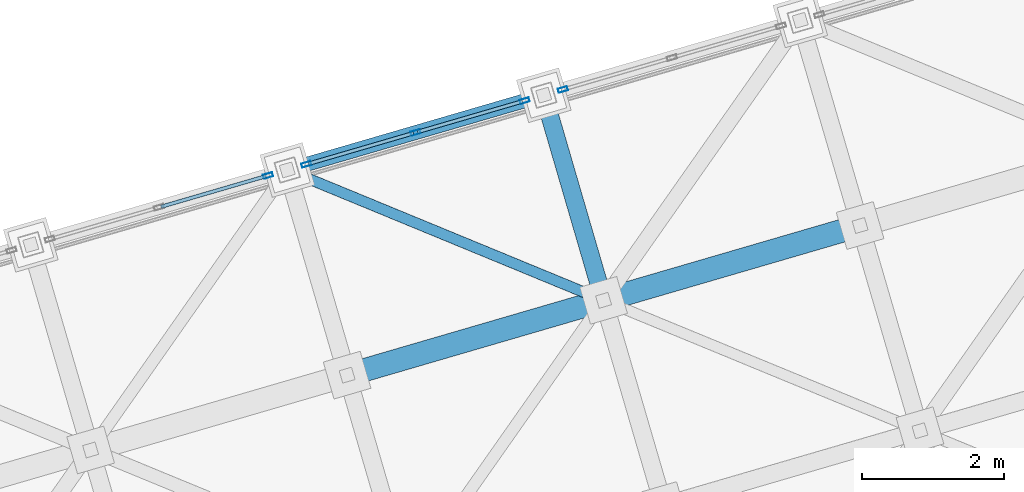
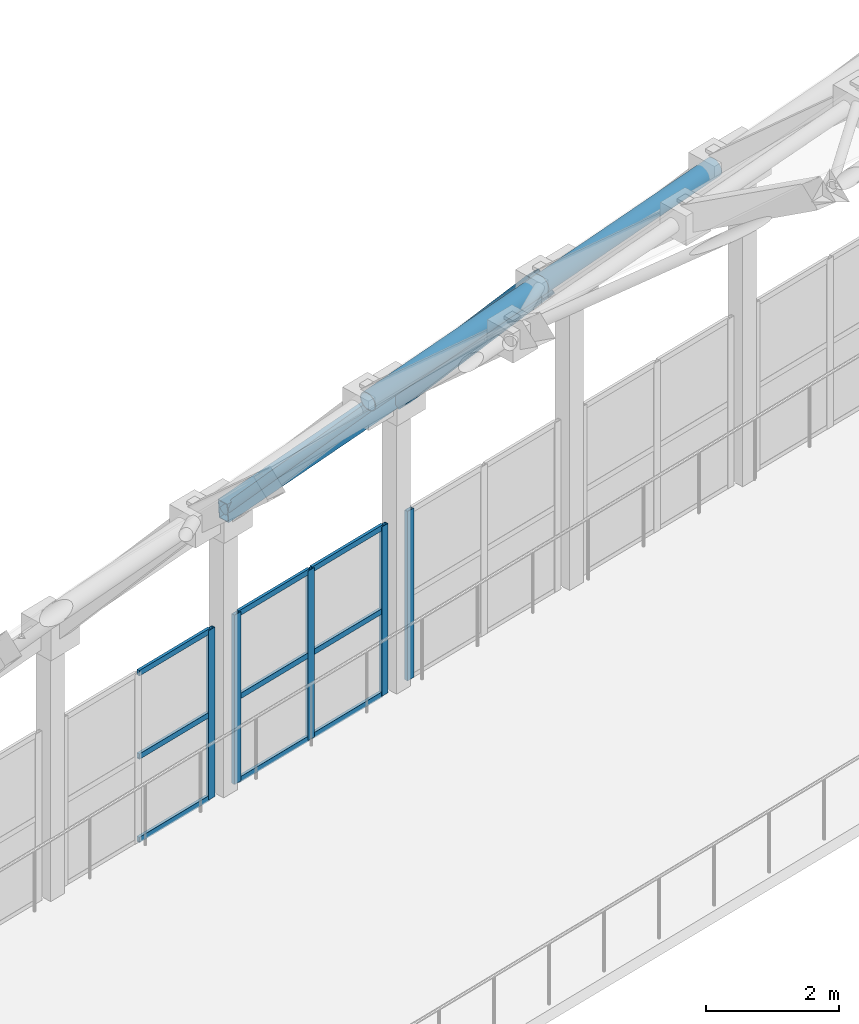
# One storey, part 113 of 248: 17 members, 2 beams, 3 elements without a shape of their own.
"""IFC4 building model written with IfcOpenShell, lengths in metres."""

from ifc_helpers import new_model, si_unit, direction, frame, origin, origin_2d, place, context, subcontext, project, spatial, hollow_rectangle, hollow_circle, extrude, material, layer, layer_set, material_profile, profile_set, type_object, element, aggregate, save


model = new_model("IFC4")

# Units and contexts
model_context = context("Model", 3, precision=1e-05, world=origin(), true_north=direction((0.0, 1.0)))
body_context = subcontext(model_context, "Body", "Model", "MODEL_VIEW")
ifc_project = project(units=[si_unit("LENGTHUNIT", "METRE"), si_unit("AREAUNIT", "SQUARE_METRE"), si_unit("VOLUMEUNIT", "CUBIC_METRE"), si_unit("PLANEANGLEUNIT", "RADIAN"), si_unit("MASSUNIT", "GRAM", prefix="KILO")], contexts=[model_context])

# Site, building, storey
site_placement = place(None, origin())
site = spatial("IfcSite", under=ifc_project, at=site_placement, CompositionType="ELEMENT")
building_placement = place(site_placement, origin())
building = spatial("IfcBuilding", under=site, at=building_placement, Name="Canggui Botanical Conservatory", CompositionType="ELEMENT")
storey_placement = place(building_placement, frame((0.0, 0.0, 5.39990234375)))
storey = spatial("IfcBuildingStorey", under=building, at=storey_placement, Name="L02", CompositionType="ELEMENT", Elevation=5.39990234375)

# Beams
ifc_material_1 = material(Name="Steel Q355C", Category="steel")
ifc_material_profile_1 = material_profile(ifc_material_1, hollow_rectangle(XDim=0.25, YDim=0.449951171875, WallThickness=0.013916015625, at=origin_2d()), Name="RHS 250x450x14")
ifc_profile_set_1 = profile_set([ifc_material_profile_1], Name="Steel Q355C")
beam_type_1 = type_object("IfcBeamType", Name="BM-GJ02", PredefinedType="BEAM", material=ifc_profile_set_1)
beam_1_placement = place(storey_placement, frame((37.639892578125, 75.27001953125, 8.80615234375), z_axis=(-0.183516511104, 0.629290920054, -0.755191782324), x_axis=(-0.960010937337, -0.279962497833, 0.0)))
element("IfcBeam", 1, at=beam_1_placement, inside=storey, type_object=beam_type_1, Name="Conservatory Stepped-Arch Rib GJ-08 Segment 10", PredefinedType="BEAM", context=body_context, shape_type="SweptSolid", body=[
    extrude(hollow_rectangle(XDim=0.25, YDim=0.449951171875, WallThickness=0.013916015625, at=origin_2d()), origin(), (0.0, 0.0, 1.0), 4.576416015625),
])
ifc_material_profile_2 = material_profile(ifc_material_1, hollow_rectangle(XDim=0.199951171875, YDim=0.35009765625, WallThickness=0.011962890625, at=origin_2d()), Name="RHS 200x350x12")
ifc_profile_set_2 = profile_set([ifc_material_profile_2], Name="Steel Q355C")
beam_type_2 = type_object("IfcBeamType", Name="BM-RING01", PredefinedType="BEAM", material=ifc_profile_set_2)
beam_2_placement = place(storey_placement, frame((33.199951171875, 77.10009765625, 5.10009765625), z_axis=(0.957889800097, 0.279324979006, 0.066518320582), x_axis=(-0.279945000113, 0.960016039924, 0.0)))
element("IfcBeam", 2, at=beam_2_placement, inside=storey, type_object=beam_type_2, Name="Conservatory Perimeter Ring Beam V1-07", PredefinedType="BEAM", context=body_context, shape_type="SweptSolid", body=[
    extrude(hollow_rectangle(XDim=0.199951171875, YDim=0.35009765625, WallThickness=0.011962890625, at=origin_2d()), origin(), (0.0, 0.0, 1.0), 3.75830078125),
])

# Curtain wall, member
ifc_material_2 = material(Name="Thermally Broken Aluminium", Category="aluminium")
ifc_layer = layer(ifc_material_2, 0.135009765625, Name="Thermally Broken Aluminium", Category="aluminium")
ifc_layer_set = layer_set([ifc_layer], Name="Thermally Broken Aluminium")
curtain_wall_type = type_object("IfcCurtainWallType", Name="CW-STICK-A", PredefinedType="USERDEFINED", material=ifc_layer_set)
curtain_wall_1_placement = place(storey_placement, origin())
curtain_wall_1 = element("IfcCurtainWall", 3, at=curtain_wall_1_placement, inside=storey, type_object=curtain_wall_type, Name="Facade Curtain Wall CW-CONS-L02-V1-06", ObjectType="STICK GLAZED WALL", PredefinedType="USERDEFINED")
ifc_material_profile_3 = material_profile(ifc_material_2, hollow_rectangle(XDim=0.06005859375, YDim=0.135009765625, WallThickness=0.00341796875, at=origin_2d()), Name="CWM 60x135x3.5")
ifc_profile_set_3 = profile_set([ifc_material_profile_3], Name="Thermally Broken Aluminium")
member_type_1 = type_object("IfcMemberType", Name="CWM-04", PredefinedType="MULLION", material=ifc_profile_set_3)
member_1_placement = place(storey_placement, frame((32.93115234375, 77.021484375, 0.0), z_axis=(0.0, 0.0, 1.0), x_axis=(-0.279999999995, 0.960000000002, 0.0)))
member_1 = element("IfcMember", 4, at=member_1_placement, type_object=member_type_1, Name="CW-04 mullion 3", PredefinedType="MULLION", context=body_context, shape_type="SweptSolid", body=[
    extrude(hollow_rectangle(XDim=0.06005859375, YDim=0.135009765625, WallThickness=0.00341796875, at=origin_2d()), origin(), (0.0, 0.0, 1.0), 3.10009765625),
])

# Curtain wall, members
curtain_wall_2_placement = place(storey_placement, origin())
curtain_wall_2 = element("IfcCurtainWall", 5, at=curtain_wall_2_placement, inside=storey, type_object=curtain_wall_type, Name="Facade Curtain Wall CW-CONS-L02-V1-07", ObjectType="STICK GLAZED WALL", PredefinedType="USERDEFINED")
member_2_placement = place(storey_placement, frame((33.46875, 77.178466796875, 0.0), z_axis=(0.0, 0.0, 1.0), x_axis=(-0.279999999995, 0.960000000002, 0.0)))
member_2 = element("IfcMember", 6, at=member_2_placement, type_object=member_type_1, Name="CW-04 mullion 1", PredefinedType="MULLION", context=body_context, shape_type="SweptSolid", body=[
    extrude(hollow_rectangle(XDim=0.06005859375, YDim=0.135009765625, WallThickness=0.00341796875, at=origin_2d()), origin(), (0.0, 0.0, 1.0), 3.10009765625),
])
member_3_placement = place(storey_placement, frame((35.0, 77.625, 0.0), z_axis=(0.0, 0.0, 1.0), x_axis=(-0.279999999995, 0.960000000002, 0.0)))
member_3 = element("IfcMember", 7, at=member_3_placement, type_object=member_type_1, Name="CW-04 mullion 2", PredefinedType="MULLION", context=body_context, shape_type="SweptSolid", body=[
    extrude(hollow_rectangle(XDim=0.06005859375, YDim=0.135009765625, WallThickness=0.00341796875, at=origin_2d()), origin(), (0.0, 0.0, 1.0), 3.10009765625),
])
member_4_placement = place(storey_placement, frame((36.53125, 78.071533203125, 0.0), z_axis=(0.0, 0.0, 1.0), x_axis=(-0.279999999995, 0.960000000002, 0.0)))
member_4 = element("IfcMember", 8, at=member_4_placement, type_object=member_type_1, Name="CW-04 mullion 3", PredefinedType="MULLION", context=body_context, shape_type="SweptSolid", body=[
    extrude(hollow_rectangle(XDim=0.06005859375, YDim=0.135009765625, WallThickness=0.00341796875, at=origin_2d()), origin(), (0.0, 0.0, 1.0), 3.10009765625),
])

# Curtain wall, member
curtain_wall_3_placement = place(storey_placement, origin())
curtain_wall_3 = element("IfcCurtainWall", 9, at=curtain_wall_3_placement, inside=storey, type_object=curtain_wall_type, Name="Facade Curtain Wall CW-CONS-L02-V1-08", ObjectType="STICK GLAZED WALL", PredefinedType="USERDEFINED")
member_5_placement = place(storey_placement, frame((37.06884765625, 78.228515625, 0.0), z_axis=(0.0, 0.0, 1.0), x_axis=(-0.279999999995, 0.960000000002, 0.0)))
member_5 = element("IfcMember", 10, at=member_5_placement, type_object=member_type_1, Name="CW-04 mullion 1", PredefinedType="MULLION", context=body_context, shape_type="SweptSolid", body=[
    extrude(hollow_rectangle(XDim=0.06005859375, YDim=0.135009765625, WallThickness=0.00341796875, at=origin_2d()), origin(), (0.0, 0.0, 1.0), 3.10009765625),
])
aggregate(curtain_wall_3, [member_5])

# Member
ifc_material_profile_4 = material_profile(ifc_material_2, hollow_rectangle(XDim=0.050048828125, YDim=0.10009765625, WallThickness=0.0029296875, at=origin_2d()), Name="CWT 50x100x3")
ifc_profile_set_4 = profile_set([ifc_material_profile_4], Name="Thermally Broken Aluminium")
member_type_2 = type_object("IfcMemberType", Name="CWT-04", PredefinedType="USERDEFINED", material=ifc_profile_set_4)
member_6_placement = place(storey_placement, frame((31.4287109375, 76.58349609375, 0.025146484375), z_axis=(0.960021373424, 0.279926709282, 0.0), x_axis=(-0.279926709282, 0.960021373424, 0.0)))
member_6 = element("IfcMember", 11, at=member_6_placement, type_object=member_type_2, Name="CW-04 transom 2.1", ObjectType="TRANSOM", PredefinedType="USERDEFINED", context=body_context, shape_type="SweptSolid", body=[
    extrude(hollow_rectangle(XDim=0.050048828125, YDim=0.10009765625, WallThickness=0.0029296875, at=origin_2d()), origin(), (0.0, 0.0, 1.0), 1.534912109375),
])

member_7_placement = place(storey_placement, frame((31.4287109375, 76.58349609375, 1.550048828125), z_axis=(0.960021373424, 0.279926709282, 0.0), x_axis=(-0.279926709282, 0.960021373424, 0.0)))
member_7 = element("IfcMember", 12, at=member_7_placement, type_object=member_type_2, Name="CW-04 transom 2.2", ObjectType="TRANSOM", PredefinedType="USERDEFINED", context=body_context, shape_type="SweptSolid", body=[
    extrude(hollow_rectangle(XDim=0.050048828125, YDim=0.10009765625, WallThickness=0.0029296875, at=origin_2d()), origin(), (0.0, 0.0, 1.0), 1.534912109375),
])

member_8_placement = place(storey_placement, frame((31.4287109375, 76.58349609375, 3.0751953125), z_axis=(0.960021373424, 0.279926709282, 0.0), x_axis=(-0.279926709282, 0.960021373424, 0.0)))
member_8 = element("IfcMember", 13, at=member_8_placement, type_object=member_type_2, Name="CW-04 transom 2.3", ObjectType="TRANSOM", PredefinedType="USERDEFINED", context=body_context, shape_type="SweptSolid", body=[
    extrude(hollow_rectangle(XDim=0.050048828125, YDim=0.10009765625, WallThickness=0.0029296875, at=origin_2d()), origin(), (0.0, 0.0, 1.0), 1.534912109375),
])

aggregate(curtain_wall_1, [member_1, member_6, member_7, member_8])

member_9_placement = place(storey_placement, frame((33.49755859375, 77.186767578125, 0.025146484375), z_axis=(0.959978621933, 0.280073285822, 0.0), x_axis=(-0.280073285822, 0.959978621933, 0.0)))
member_9 = element("IfcMember", 14, at=member_9_placement, type_object=member_type_2, Name="CW-04 transom 1.1", ObjectType="TRANSOM", PredefinedType="USERDEFINED", context=body_context, shape_type="SweptSolid", body=[
    extrude(hollow_rectangle(XDim=0.050048828125, YDim=0.10009765625, WallThickness=0.0029296875, at=origin_2d()), origin(), (0.0, 0.0, 1.0), 1.53515625),
])

member_10_placement = place(storey_placement, frame((33.49755859375, 77.186767578125, 1.550048828125), z_axis=(0.959978621933, 0.280073285822, 0.0), x_axis=(-0.280073285822, 0.959978621933, 0.0)))
member_10 = element("IfcMember", 15, at=member_10_placement, type_object=member_type_2, Name="CW-04 transom 1.2", ObjectType="TRANSOM", PredefinedType="USERDEFINED", context=body_context, shape_type="SweptSolid", body=[
    extrude(hollow_rectangle(XDim=0.050048828125, YDim=0.10009765625, WallThickness=0.0029296875, at=origin_2d()), origin(), (0.0, 0.0, 1.0), 1.53515625),
])

member_11_placement = place(storey_placement, frame((33.49755859375, 77.186767578125, 3.0751953125), z_axis=(0.959978621933, 0.280073285822, 0.0), x_axis=(-0.280073285822, 0.959978621933, 0.0)))
member_11 = element("IfcMember", 16, at=member_11_placement, type_object=member_type_2, Name="CW-04 transom 1.3", ObjectType="TRANSOM", PredefinedType="USERDEFINED", context=body_context, shape_type="SweptSolid", body=[
    extrude(hollow_rectangle(XDim=0.050048828125, YDim=0.10009765625, WallThickness=0.0029296875, at=origin_2d()), origin(), (0.0, 0.0, 1.0), 1.53515625),
])

member_12_placement = place(storey_placement, frame((35.02880859375, 77.63330078125, 0.025146484375), z_axis=(0.959978621933, 0.280073285822, 0.0), x_axis=(-0.280073285822, 0.959978621933, 0.0)))
member_12 = element("IfcMember", 17, at=member_12_placement, type_object=member_type_2, Name="CW-04 transom 2.1", ObjectType="TRANSOM", PredefinedType="USERDEFINED", context=body_context, shape_type="SweptSolid", body=[
    extrude(hollow_rectangle(XDim=0.050048828125, YDim=0.10009765625, WallThickness=0.0029296875, at=origin_2d()), origin(), (0.0, 0.0, 1.0), 1.53515625),
])

member_13_placement = place(storey_placement, frame((35.02880859375, 77.63330078125, 1.550048828125), z_axis=(0.959978621933, 0.280073285822, 0.0), x_axis=(-0.280073285822, 0.959978621933, 0.0)))
member_13 = element("IfcMember", 18, at=member_13_placement, type_object=member_type_2, Name="CW-04 transom 2.2", ObjectType="TRANSOM", PredefinedType="USERDEFINED", context=body_context, shape_type="SweptSolid", body=[
    extrude(hollow_rectangle(XDim=0.050048828125, YDim=0.10009765625, WallThickness=0.0029296875, at=origin_2d()), origin(), (0.0, 0.0, 1.0), 1.53515625),
])

member_14_placement = place(storey_placement, frame((35.02880859375, 77.63330078125, 3.0751953125), z_axis=(0.959978621933, 0.280073285822, 0.0), x_axis=(-0.280073285822, 0.959978621933, 0.0)))
member_14 = element("IfcMember", 19, at=member_14_placement, type_object=member_type_2, Name="CW-04 transom 2.3", ObjectType="TRANSOM", PredefinedType="USERDEFINED", context=body_context, shape_type="SweptSolid", body=[
    extrude(hollow_rectangle(XDim=0.050048828125, YDim=0.10009765625, WallThickness=0.0029296875, at=origin_2d()), origin(), (0.0, 0.0, 1.0), 1.53515625),
])

aggregate(curtain_wall_2, [member_2, member_3, member_4, member_9, member_10, member_11, member_12, member_13, member_14])

# Members
ifc_material_profile_5 = material_profile(ifc_material_1, hollow_circle(Radius=0.16259765625, WallThickness=0.011962890625, at=origin_2d()), Name="CHS 325x12")
ifc_profile_set_5 = profile_set([ifc_material_profile_5], Name="Steel Q355C")
member_type_3 = type_object("IfcMemberType", Name="MEM-GSC01", PredefinedType="CHORD", material=ifc_profile_set_5)
member_15_placement = place(storey_placement, frame((34.0400390625, 74.219970703125, 8.55615234375), z_axis=(0.957867059601, 0.279402253194, 0.066521252562), x_axis=(-0.280022500685, 0.959993437014, 0.0)))
element("IfcMember", 20, at=member_15_placement, inside=storey, type_object=member_type_3, Name="Conservatory Gridshell Longitudinal Chord 7-9", PredefinedType="CHORD", context=body_context, shape_type="SweptSolid", body=[
    extrude(hollow_circle(Radius=0.16259765625, WallThickness=0.011962890625, at=origin_2d()), origin(), (0.0, 0.0, 1.0), 3.75830078125),
])
member_16_placement = place(storey_placement, frame((37.639892578125, 75.27001953125, 8.80615234375), z_axis=(0.957872417874, 0.27938486839, 0.066517113516), x_axis=(-0.280004999853, 0.959998541695, 0.0)))
element("IfcMember", 21, at=member_16_placement, inside=storey, type_object=member_type_3, Name="Conservatory Gridshell Longitudinal Chord 8-9", PredefinedType="CHORD", context=body_context, shape_type="SweptSolid", body=[
    extrude(hollow_circle(Radius=0.16259765625, WallThickness=0.011962890625, at=origin_2d()), origin(), (0.0, 0.0, 1.0), 3.758544921875),
])
ifc_material_profile_6 = material_profile(ifc_material_1, hollow_circle(Radius=0.075927734375, WallThickness=0.006103515625, at=origin_2d()), Name="CHS 152x6")
ifc_profile_set_6 = profile_set([ifc_material_profile_6], Name="Steel Q355C")
member_type_4 = type_object("IfcMemberType", Name="MEM-GSD04", PredefinedType="RAFTER", material=ifc_profile_set_6)
member_17_placement = place(storey_placement, frame((33.199951171875, 77.10009765625, 5.10009765625), z_axis=(0.731931437404, -0.301691304013, 0.61094903881), x_axis=(0.381082183428, 0.924541166998, 0.0)))
element("IfcMember", 22, at=member_17_placement, inside=storey, type_object=member_type_4, Name="Conservatory Gridshell Diagrid Rafter 7-10", PredefinedType="RAFTER", context=body_context, shape_type="SweptSolid", body=[
    extrude(hollow_circle(Radius=0.075927734375, WallThickness=0.006103515625, at=origin_2d()), origin(), (0.0, 0.0, 1.0), 6.066162109375),
])

save(model, "model.ifc")
